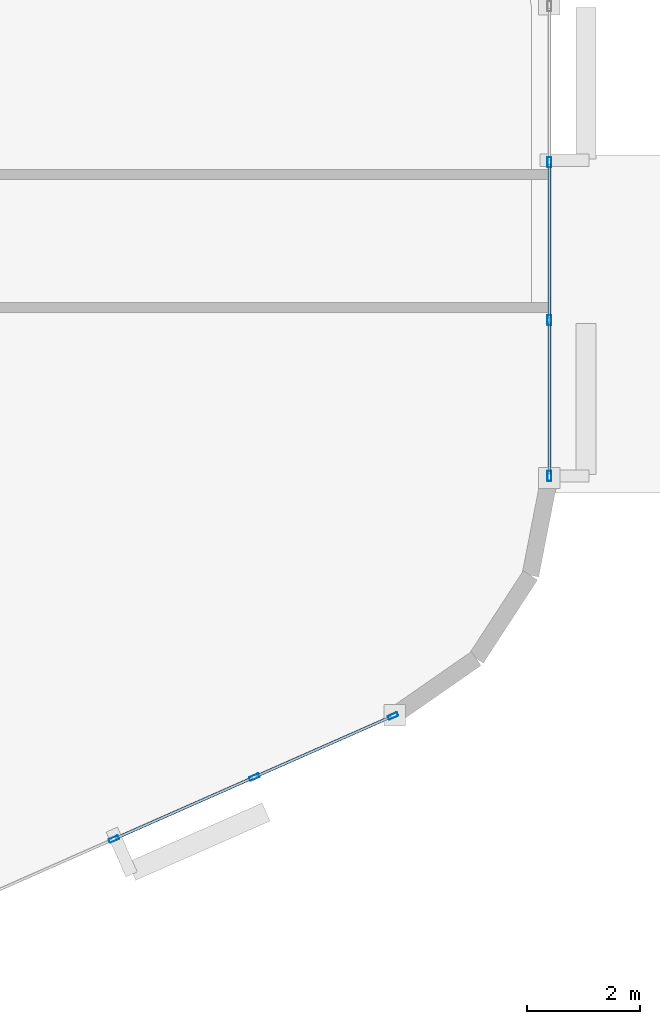
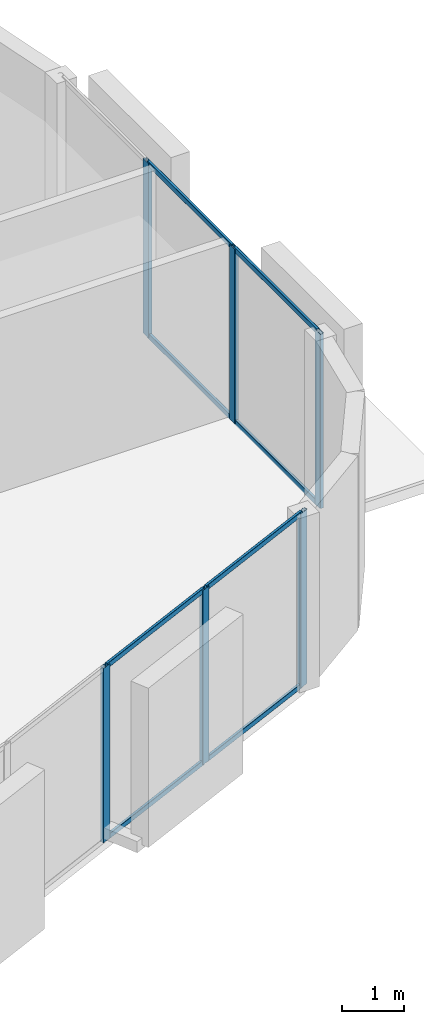
# One storey, part 4 of 12: 14 members, 2 elements without a shape of their own.
"""IFC4 building model written with IfcOpenShell, lengths in metres."""

from ifc_helpers import new_model, si_unit, direction, frame, origin, origin_2d, place, context, subcontext, project, spatial, hollow_rectangle, extrude, material, layer, layer_set, material_profile, profile_set, type_object, element, aggregate, save


model = new_model("IFC4")

# Units and contexts
model_context = context("Model", 3, precision=1e-05, world=origin(), true_north=direction((0.0, 1.0)))
body_context = subcontext(model_context, "Body", "Model", "MODEL_VIEW")
ifc_project = project(units=[si_unit("LENGTHUNIT", "METRE"), si_unit("AREAUNIT", "SQUARE_METRE"), si_unit("VOLUMEUNIT", "CUBIC_METRE"), si_unit("PLANEANGLEUNIT", "RADIAN"), si_unit("MASSUNIT", "GRAM", prefix="KILO")], contexts=[model_context])

# Site, building, storey
site_placement = place(None, origin())
site = spatial("IfcSite", under=ifc_project, at=site_placement, CompositionType="ELEMENT")
building_placement = place(site_placement, origin())
building = spatial("IfcBuilding", under=site, at=building_placement, Name="An Khanh Terracotta Commons", CompositionType="ELEMENT")
storey_placement = place(building_placement, frame((0.0, 0.0, 269.75)))
storey = spatial("IfcBuildingStorey", under=building, at=storey_placement, Name="L70", CompositionType="ELEMENT", Elevation=269.75)

# Curtain wall, members
ifc_material = material(Name="Anodised Aluminium 6063-T6", Category="aluminium")
ifc_layer = layer(ifc_material, 0.2099609375, Name="Anodised Aluminium 6063-T6")
ifc_layer_set = layer_set([ifc_layer], Name="Anodised Aluminium 6063-T6")
curtain_wall_type = type_object("IfcCurtainWallType", Name="CW-SYS-03", PredefinedType="USERDEFINED", material=ifc_layer_set)
curtain_wall_1_placement = place(storey_placement, origin())
curtain_wall_1 = element("IfcCurtainWall", 1, at=curtain_wall_1_placement, inside=storey, type_object=curtain_wall_type, Name="L70 CW-03 Unitised Curtain Wall CW-L70-08", ObjectType="UNITISED CURTAIN WALL", PredefinedType="USERDEFINED")
ifc_material_profile_1 = material_profile(ifc_material, hollow_rectangle(XDim=0.070068359375, YDim=0.179931640625, WallThickness=0.00390625, InnerFilletRadius=0.00390625, OuterFilletRadius=0.008056640625, at=origin_2d()), Name="RHS180x70x4")
ifc_profile_set_1 = profile_set([ifc_material_profile_1], Name="Anodised Aluminium 6063-T6")
member_type_1 = type_object("IfcMemberType", Name="CWM-RHS180x70x4", PredefinedType="MULLION", material=ifc_profile_set_1)
member_1_placement = place(storey_placement, frame((67.8720703125, 13.390380859375, 0.0), z_axis=(0.0, 0.0, 1.0), x_axis=(-0.403676354285, 0.914901853201, 0.0)))
member_1 = element("IfcMember", 2, at=member_1_placement, type_object=member_type_1, Name="CW-03 mullion 3", PredefinedType="MULLION", context=body_context, shape_type="SweptSolid", body=[
    extrude(hollow_rectangle(XDim=0.070068359375, YDim=0.179931640625, WallThickness=0.00390625, InnerFilletRadius=0.00390625, OuterFilletRadius=0.008056640625, at=origin_2d()), origin(), (0.0, 0.0, 1.0), 3.449951171875),
])
member_2_placement = place(storey_placement, frame((70.364501953125, 14.490234375, 0.0), z_axis=(0.0, 0.0, 1.0), x_axis=(-0.403676354285, 0.914901853201, 0.0)))
member_2 = element("IfcMember", 3, at=member_2_placement, type_object=member_type_1, Name="CW-03 mullion 4", PredefinedType="MULLION", context=body_context, shape_type="SweptSolid", body=[
    extrude(hollow_rectangle(XDim=0.070068359375, YDim=0.179931640625, WallThickness=0.00390625, InnerFilletRadius=0.00390625, OuterFilletRadius=0.008056640625, at=origin_2d()), origin(), (0.0, 0.0, 1.0), 3.449951171875),
])
member_3_placement = place(storey_placement, frame((72.824951171875, 15.575927734375, 0.0), z_axis=(0.0, 0.0, 1.0), x_axis=(-0.403676354285, 0.914901853201, 0.0)))
member_3 = element("IfcMember", 4, at=member_3_placement, type_object=member_type_1, Name="CW-03 mullion 5", PredefinedType="MULLION", context=body_context, shape_type="SweptSolid", body=[
    extrude(hollow_rectangle(XDim=0.070068359375, YDim=0.179931640625, WallThickness=0.00390625, InnerFilletRadius=0.00390625, OuterFilletRadius=0.008056640625, at=origin_2d()), origin(), (0.0, 0.0, 1.0), 3.449951171875),
])

curtain_wall_2_placement = place(storey_placement, origin())
curtain_wall_2 = element("IfcCurtainWall", 5, at=curtain_wall_2_placement, inside=storey, type_object=curtain_wall_type, Name="L70 CW-03 Unitised Curtain Wall CW-L70-12", ObjectType="UNITISED CURTAIN WALL", PredefinedType="USERDEFINED")
member_4_placement = place(storey_placement, frame((75.60009765625, 19.8330078125, 0.0), z_axis=(0.0, 0.0, 1.0), x_axis=(-1.0, 0.0, 0.0)))
member_4 = element("IfcMember", 6, at=member_4_placement, type_object=member_type_1, Name="CW-03 mullion 1", PredefinedType="MULLION", context=body_context, shape_type="SweptSolid", body=[
    extrude(hollow_rectangle(XDim=0.070068359375, YDim=0.179931640625, WallThickness=0.00390625, InnerFilletRadius=0.00390625, OuterFilletRadius=0.008056640625, at=origin_2d()), origin(), (0.0, 0.0, 1.0), 3.449951171875),
])
member_5_placement = place(storey_placement, frame((75.60009765625, 22.599365234375, 0.0), z_axis=(0.0, 0.0, 1.0), x_axis=(-1.0, 0.0, 0.0)))
member_5 = element("IfcMember", 7, at=member_5_placement, type_object=member_type_1, Name="CW-03 mullion 2", PredefinedType="MULLION", context=body_context, shape_type="SweptSolid", body=[
    extrude(hollow_rectangle(XDim=0.070068359375, YDim=0.179931640625, WallThickness=0.00390625, InnerFilletRadius=0.00390625, OuterFilletRadius=0.008056640625, at=origin_2d()), origin(), (0.0, 0.0, 1.0), 3.449951171875),
])
member_6_placement = place(storey_placement, frame((75.60009765625, 25.400634765625, 0.0), z_axis=(0.0, 0.0, 1.0), x_axis=(-1.0, 0.0, 0.0)))
member_6 = element("IfcMember", 8, at=member_6_placement, type_object=member_type_1, Name="CW-03 mullion 3", PredefinedType="MULLION", context=body_context, shape_type="SweptSolid", body=[
    extrude(hollow_rectangle(XDim=0.070068359375, YDim=0.179931640625, WallThickness=0.00390625, InnerFilletRadius=0.00390625, OuterFilletRadius=0.008056640625, at=origin_2d()), origin(), (0.0, 0.0, 1.0), 3.449951171875),
])

# Member
ifc_material_profile_2 = material_profile(ifc_material, hollow_rectangle(XDim=0.050048828125, YDim=0.10009765625, WallThickness=0.003173828125, InnerFilletRadius=0.003173828125, OuterFilletRadius=0.00634765625, at=origin_2d()), Name="RHS100x50x3.2")
ifc_profile_set_2 = profile_set([ifc_material_profile_2], Name="Anodised Aluminium 6063-T6")
member_type_2 = type_object("IfcMemberType", Name="CWT-RHS100x50x3.2", PredefinedType="USERDEFINED", material=ifc_profile_set_2)
member_7_placement = place(storey_placement, frame((67.904052734375, 13.404541015625, 0.02490234375), z_axis=(0.914896820753, 0.403687759755, 0.0), x_axis=(-0.403687759755, 0.914896820753, 0.0)))
member_7 = element("IfcMember", 9, at=member_7_placement, type_object=member_type_2, Name="CW-03 transom 3.1", ObjectType="TRANSOM", PredefinedType="USERDEFINED", context=body_context, shape_type="SweptSolid", body=[
    extrude(hollow_rectangle(XDim=0.050048828125, YDim=0.10009765625, WallThickness=0.003173828125, InnerFilletRadius=0.003173828125, OuterFilletRadius=0.00634765625, at=origin_2d()), origin(), (0.0, 0.0, 1.0), 2.654296875),
])

member_8_placement = place(storey_placement, frame((67.904052734375, 13.404541015625, 3.425048828125), z_axis=(0.914896820753, 0.403687759755, 0.0), x_axis=(-0.403687759755, 0.914896820753, 0.0)))
member_8 = element("IfcMember", 10, at=member_8_placement, type_object=member_type_2, Name="CW-03 transom 3.2", ObjectType="TRANSOM", PredefinedType="USERDEFINED", context=body_context, shape_type="SweptSolid", body=[
    extrude(hollow_rectangle(XDim=0.050048828125, YDim=0.10009765625, WallThickness=0.003173828125, InnerFilletRadius=0.003173828125, OuterFilletRadius=0.00634765625, at=origin_2d()), origin(), (0.0, 0.0, 1.0), 2.654296875),
])

member_9_placement = place(storey_placement, frame((70.396484375, 14.50439453125, 0.02490234375), z_axis=(0.914903627858, 0.403672332137, 0.0), x_axis=(-0.403672332137, 0.914903627858, 0.0)))
member_9 = element("IfcMember", 11, at=member_9_placement, type_object=member_type_2, Name="CW-03 transom 4.1", ObjectType="TRANSOM", PredefinedType="USERDEFINED", context=body_context, shape_type="SweptSolid", body=[
    extrude(hollow_rectangle(XDim=0.050048828125, YDim=0.10009765625, WallThickness=0.003173828125, InnerFilletRadius=0.003173828125, OuterFilletRadius=0.00634765625, at=origin_2d()), origin(), (0.0, 0.0, 1.0), 2.619384765625),
])

member_10_placement = place(storey_placement, frame((70.396484375, 14.50439453125, 3.425048828125), z_axis=(0.914903627858, 0.403672332137, 0.0), x_axis=(-0.403672332137, 0.914903627858, 0.0)))
member_10 = element("IfcMember", 12, at=member_10_placement, type_object=member_type_2, Name="CW-03 transom 4.2", ObjectType="TRANSOM", PredefinedType="USERDEFINED", context=body_context, shape_type="SweptSolid", body=[
    extrude(hollow_rectangle(XDim=0.050048828125, YDim=0.10009765625, WallThickness=0.003173828125, InnerFilletRadius=0.003173828125, OuterFilletRadius=0.00634765625, at=origin_2d()), origin(), (0.0, 0.0, 1.0), 2.619384765625),
])

aggregate(curtain_wall_1, [member_1, member_2, member_3, member_7, member_8, member_9, member_10])

member_11_placement = place(storey_placement, frame((75.60009765625, 19.867919921875, 0.02490234375), z_axis=(0.0, 1.0, 0.0), x_axis=(-1.0, 0.0, 0.0)))
member_11 = element("IfcMember", 13, at=member_11_placement, type_object=member_type_2, Name="CW-03 transom 1.1", ObjectType="TRANSOM", PredefinedType="USERDEFINED", context=body_context, shape_type="SweptSolid", body=[
    extrude(hollow_rectangle(XDim=0.050048828125, YDim=0.10009765625, WallThickness=0.003173828125, InnerFilletRadius=0.003173828125, OuterFilletRadius=0.00634765625, at=origin_2d()), origin(), (0.0, 0.0, 1.0), 2.696533203125),
])

member_12_placement = place(storey_placement, frame((75.60009765625, 19.867919921875, 3.425048828125), z_axis=(0.0, 1.0, 0.0), x_axis=(-1.0, 0.0, 0.0)))
member_12 = element("IfcMember", 14, at=member_12_placement, type_object=member_type_2, Name="CW-03 transom 1.2", ObjectType="TRANSOM", PredefinedType="USERDEFINED", context=body_context, shape_type="SweptSolid", body=[
    extrude(hollow_rectangle(XDim=0.050048828125, YDim=0.10009765625, WallThickness=0.003173828125, InnerFilletRadius=0.003173828125, OuterFilletRadius=0.00634765625, at=origin_2d()), origin(), (0.0, 0.0, 1.0), 2.696533203125),
])

member_13_placement = place(storey_placement, frame((75.60009765625, 22.63427734375, 0.02490234375), z_axis=(0.0, 1.0, 0.0), x_axis=(-1.0, 0.0, 0.0)))
member_13 = element("IfcMember", 15, at=member_13_placement, type_object=member_type_2, Name="CW-03 transom 2.1", ObjectType="TRANSOM", PredefinedType="USERDEFINED", context=body_context, shape_type="SweptSolid", body=[
    extrude(hollow_rectangle(XDim=0.050048828125, YDim=0.10009765625, WallThickness=0.003173828125, InnerFilletRadius=0.003173828125, OuterFilletRadius=0.00634765625, at=origin_2d()), origin(), (0.0, 0.0, 1.0), 2.7314453125),
])

member_14_placement = place(storey_placement, frame((75.60009765625, 22.63427734375, 3.425048828125), z_axis=(0.0, 1.0, 0.0), x_axis=(-1.0, 0.0, 0.0)))
member_14 = element("IfcMember", 16, at=member_14_placement, type_object=member_type_2, Name="CW-03 transom 2.2", ObjectType="TRANSOM", PredefinedType="USERDEFINED", context=body_context, shape_type="SweptSolid", body=[
    extrude(hollow_rectangle(XDim=0.050048828125, YDim=0.10009765625, WallThickness=0.003173828125, InnerFilletRadius=0.003173828125, OuterFilletRadius=0.00634765625, at=origin_2d()), origin(), (0.0, 0.0, 1.0), 2.7314453125),
])

aggregate(curtain_wall_2, [member_4, member_5, member_6, member_11, member_12, member_13, member_14])

save(model, "model.ifc")
